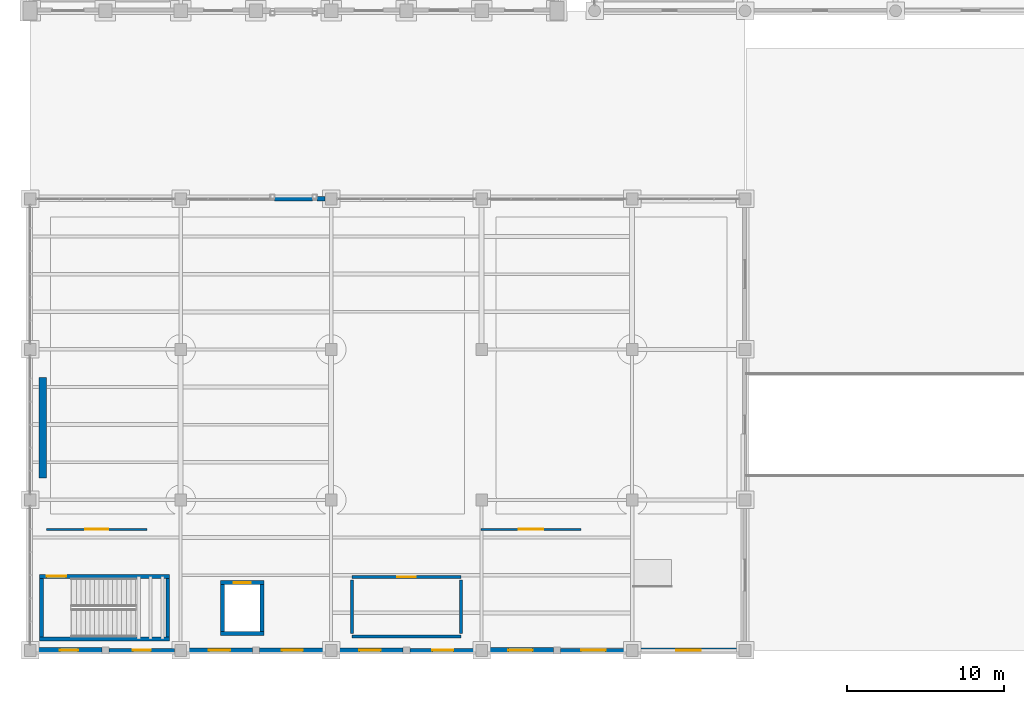
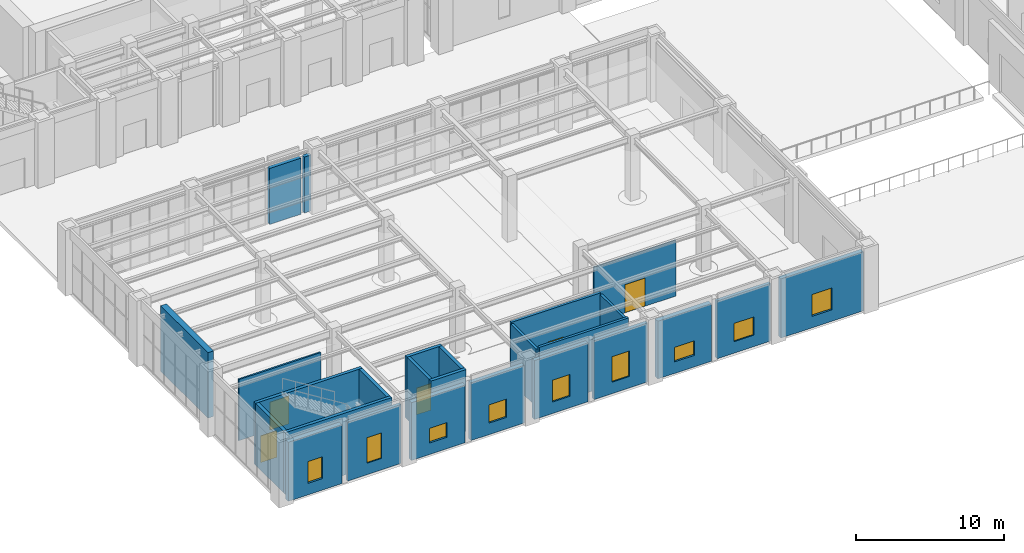
# One storey, part 128 of 164: 26 walls, 9 windows, 5 doors, 14 openings.
"""IFC4 building model written with IfcOpenShell, lengths in metres."""

import ifcopenshell
import ifcopenshell.guid

model = None  # the IFC model being written
_history = None  # IfcOwnerHistory: only IFC2X3 demands one
_inside = {}  # id of a spatial element -> (the spatial element, [elements in it])
_under = {}  # id of a project, library or spatial element -> (it, [spatial elements below it])
_declared = {}  # id of a project -> (the project, [libraries it declares])
_typed = {}  # id of a type object -> (the type object, [elements of that type])
_made_of = {}  # id of a material, layer set ... -> (it, [elements and type objects made of it])


def new_model(schema):
    """Start an empty IFC model of exactly this schema.

    Asked for "IFC4X3", IfcOpenShell would pick the latest addendum, in which some entities
    have other attributes; the version numbers below select the first issue.
    IFC2X3 requires an IfcOwnerHistory on every rooted entity: one is made here for all.
    """
    global model, _history
    if schema == "IFC4X3":
        model = ifcopenshell.file(schema_version=(4, 3, 0, 0))
    else:
        model = ifcopenshell.file(schema=schema)
    _inside.clear()
    _under.clear()
    _declared.clear()
    _typed.clear()
    _made_of.clear()
    _history = None
    if model.schema == "IFC2X3":
        org = make("IfcOrganization", Name="unknown")
        user = make(
            "IfcPersonAndOrganization",
            ThePerson=make("IfcPerson", FamilyName="unknown"),
            TheOrganization=org,
        )
        app = make(
            "IfcApplication",
            ApplicationDeveloper=org,
            Version="unknown",
            ApplicationFullName="unknown",
            ApplicationIdentifier="unknown",
        )
        _history = make(
            "IfcOwnerHistory",
            OwningUser=user,
            OwningApplication=app,
            ChangeAction="ADDED",
            CreationDate=0,
        )
    return model


def make(cls, **values):
    """One entity of the class cls with the attributes given. An attribute that is None is left unset."""
    return model.create_entity(
        cls, **{name: value for name, value in values.items() if value is not None}
    )


def rooted(cls, **values):
    """An entity with a GlobalId (a new one), such as an element, a storey or a relation."""
    return make(cls, GlobalId=ifcopenshell.guid.new(), OwnerHistory=_history, **values)


def si_unit(unit_type, name, prefix=None):
    """IfcSIUnit, for example si_unit("LENGTHUNIT", "METRE", prefix="MILLI")."""
    return make("IfcSIUnit", UnitType=unit_type, Prefix=prefix, Name=name)


def assignment(units):
    """IfcUnitAssignment: the units of a project."""
    return None if units is None else make("IfcUnitAssignment", Units=units)


def point(xyz):
    """IfcCartesianPoint."""
    return None if xyz is None else make("IfcCartesianPoint", Coordinates=xyz)


def direction(xyz):
    """IfcDirection."""
    return None if xyz is None else make("IfcDirection", DirectionRatios=xyz)


def frame(location, z_axis=None, x_axis=None):
    """IfcAxis2Placement3D, a coordinate frame: its origin and axes. An axis left out is left unset."""
    return make(
        "IfcAxis2Placement3D",
        Location=point(location),
        Axis=direction(z_axis),
        RefDirection=direction(x_axis),
    )


def frame_2d(location, x_axis=None):
    """IfcAxis2Placement2D, a coordinate frame in the plane: its origin and x axis."""
    return make(
        "IfcAxis2Placement2D", Location=point(location), RefDirection=direction(x_axis)
    )


def origin():
    """The frame at (0, 0, 0) with its axes left unset."""
    return frame((0.0, 0.0, 0.0))


def place(relative_to, where):
    """IfcLocalPlacement: puts the frame where relative to a parent placement (None: the world)."""
    return make(
        "IfcLocalPlacement", PlacementRelTo=relative_to, RelativePlacement=where
    )


def context(
    kind, dimensions, precision=None, world=None, true_north=None, identifier=None
):
    """IfcGeometricRepresentationContext, for example the 3D "Model" context."""
    return make(
        "IfcGeometricRepresentationContext",
        ContextIdentifier=identifier,
        ContextType=kind,
        CoordinateSpaceDimension=dimensions,
        Precision=precision,
        WorldCoordinateSystem=world,
        TrueNorth=true_north,
    )


def subcontext(parent, identifier, kind, view, scale=None):
    """IfcGeometricRepresentationSubContext, for example "Body" below "Model"."""
    return make(
        "IfcGeometricRepresentationSubContext",
        ContextIdentifier=identifier,
        ContextType=kind,
        ParentContext=parent,
        TargetScale=scale,
        TargetView=view,
    )


def project(units=None, contexts=None):
    """IfcProject with its units and contexts."""
    return rooted(
        "IfcProject",
        Name="project",
        RepresentationContexts=contexts,
        UnitsInContext=assignment(units),
    )


def spatial(cls, under=None, at=None, **own):
    """A site, building, storey or space (cls), placed at a placement, below another one or the project."""
    s = rooted(cls, ObjectPlacement=at, **own)
    if under is not None:
        _under.setdefault(under.id(), (under, []))[1].append(s)
    return s


def profile(cls, at=None, kind="AREA", **sizes):
    """A parametric profile (cls). Its sizes go by their IFC names, for example OverallWidth=200.0."""
    return make(cls, ProfileType=kind, Position=at, **sizes)


def rectangle(**sizes):
    """IfcRectangleProfileDef."""
    return profile("IfcRectangleProfileDef", **sizes)


def extrude(swept, where, along, depth):
    """IfcExtrudedAreaSolid: the profile swept, set in the frame where, extruded along a direction by depth."""
    return make(
        "IfcExtrudedAreaSolid",
        SweptArea=swept,
        Position=where,
        ExtrudedDirection=direction(along),
        Depth=depth,
    )


def shape(context_of_items, identifier, shape_type, items):
    """IfcShapeRepresentation: the items that make up one representation, for example the "Body"."""
    return make(
        "IfcShapeRepresentation",
        ContextOfItems=context_of_items,
        RepresentationIdentifier=identifier,
        RepresentationType=shape_type,
        Items=items,
    )


def material(Name=None, Category=None):
    """IfcMaterial."""
    return make("IfcMaterial", Name=Name, Category=Category)


def layer(
    of_material, thickness, ventilated=None, Name=None, Category=None, Priority=None
):
    """IfcMaterialLayer: one layer of a wall or slab, of a material (None: an air gap)."""
    return make(
        "IfcMaterialLayer",
        Material=of_material,
        LayerThickness=thickness,
        IsVentilated=ventilated,
        Name=Name,
        Category=Category,
        Priority=Priority,
    )


def layer_set(layers, Name=None):
    """IfcMaterialLayerSet."""
    return make("IfcMaterialLayerSet", MaterialLayers=layers, LayerSetName=Name)


def made_of(thing, what):
    """Note that an element or type object is made of a material, layer set ...; save() writes the relation."""
    if what is not None:
        _made_of.setdefault(what.id(), (what, []))[1].append(thing)
    return thing


def type_object(cls, material=None, **own):
    """A type object (cls), such as IfcWallType, which elements share."""
    return made_of(rooted(cls, **own), material)


def element(
    cls,
    number,
    at=None,
    inside=None,
    cuts=None,
    type_object=None,
    material=None,
    context=None,
    identifier="Body",
    shape_type=None,
    held_by="IfcProductDefinitionShape",
    body=None,
    shapes=None,
    **own,
):
    """One element of the class cls, such as IfcWall. Its Tag is "e" and its number.

    at: its placement. inside: the storey or other place that contains it. cuts: it is an
    opening in that element (IfcRelVoidsElement). A single representation is given by context,
    identifier, shape_type and body (its items); several are given by shapes. held_by: the class
    of the entity that holds the representations. save() writes the other relations.
    """
    e = rooted(cls, Tag="e%d" % number, ObjectPlacement=at, **own)
    if body is not None:
        shapes = [shape(context, identifier, shape_type, body)]
    if shapes is not None:
        e.Representation = make(held_by, Representations=shapes)
    if inside is not None:
        _inside.setdefault(inside.id(), (inside, []))[1].append(e)
    if cuts is not None:
        rooted(
            "IfcRelVoidsElement", RelatingBuildingElement=cuts, RelatedOpeningElement=e
        )
    if type_object is not None:
        _typed.setdefault(type_object.id(), (type_object, []))[1].append(e)
    return made_of(e, material)


def fill(opening, filler):
    """IfcRelFillsElement: the door or window that sits in an opening."""
    return rooted(
        "IfcRelFillsElement",
        RelatingOpeningElement=opening,
        RelatedBuildingElement=filler,
    )


def aggregate(whole, parts):
    """IfcRelAggregates: a whole, such as a stair, and the parts it consists of."""
    return rooted("IfcRelAggregates", RelatingObject=whole, RelatedObjects=parts)


def save(model, path):
    """Write the relations noted so far, then the file.

    IfcRelAggregates (storeys below a building ...), IfcRelContainedInSpatialStructure (elements
    in a storey), IfcRelDefinesByType, IfcRelAssociatesMaterial and IfcRelDeclares: one each for
    every whole, place, type object, material and project.
    """
    for whole, parts in _under.values():
        aggregate(whole, parts)
    for where, things in _inside.values():
        rooted(
            "IfcRelContainedInSpatialStructure",
            RelatedElements=things,
            RelatingStructure=where,
        )
    for kind, things in _typed.values():
        rooted("IfcRelDefinesByType", RelatedObjects=things, RelatingType=kind)
    for what, things in _made_of.values():
        rooted("IfcRelAssociatesMaterial", RelatedObjects=things, RelatingMaterial=what)
    for by, libraries in _declared.values():
        rooted("IfcRelDeclares", RelatingContext=by, RelatedDefinitions=libraries)
    model.write(path)


model = new_model("IFC4")

# Units and contexts
model_context = context("Model", 3, precision=1e-05, world=origin(), true_north=direction((0.0, 1.0)))
body_context = subcontext(model_context, "Body", "Model", "MODEL_VIEW")
ifc_project = project(units=[si_unit("LENGTHUNIT", "METRE"), si_unit("AREAUNIT", "SQUARE_METRE"), si_unit("VOLUMEUNIT", "CUBIC_METRE"), si_unit("PLANEANGLEUNIT", "RADIAN"), si_unit("MASSUNIT", "GRAM", prefix="KILO")], contexts=[model_context])

# Site, building, storey
site_placement = place(None, origin())
site = spatial("IfcSite", under=ifc_project, at=site_placement, CompositionType="ELEMENT")
building_placement = place(site_placement, origin())
building = spatial("IfcBuilding", under=site, at=building_placement, Name="Mavantir Sound Aquarium", CompositionType="ELEMENT")
storey_placement = place(building_placement, origin())
storey = spatial("IfcBuildingStorey", under=building, at=storey_placement, Name="L00", CompositionType="ELEMENT", Elevation=0.0)

# Wall, opening, window
ifc_material_1 = material(Name="Coral-Buff Architectural Precast Concrete C40/50", Category="concrete")
ifc_layer_1 = layer(ifc_material_1, 0.31005859375, Name="Coral-Buff Architectural Precast Concrete C40/50")
ifc_layer_set_1 = layer_set([ifc_layer_1], Name="Coral-Buff Architectural Precast Concrete C40/50")
wall_type_1 = type_object("IfcWallType", Name="EW-CORAL-310", PredefinedType="SOLIDWALL", material=ifc_layer_set_1)
wall_1_placement = place(storey_placement, frame((14.633056640625, 0.0, 0.0), z_axis=(0.0, 0.0, 1.0), x_axis=(1.0, 0.0, 0.0)))
wall_1 = element("IfcWall", 1, at=wall_1_placement, inside=storey, type_object=wall_type_1, Name="L00 exterior facade wall EW-02 80", PredefinedType="SOLIDWALL", context=body_context, shape_type="SweptSolid", body=[
    extrude(rectangle(XDim=4.183837890625, YDim=0.31005859375, at=frame_2d((2.091796875, 0.0))), origin(), (0.0, 0.0, 1.0), 4.758056640625),
])
opening_1_placement = place(wall_1_placement, frame((1.4169921875, 0.0, 0.949951171875)))
opening_1 = element("IfcOpeningElement", 2, at=opening_1_placement, cuts=wall_1, Name="Opening W-10", PredefinedType="OPENING", context=body_context, shape_type="SweptSolid", body=[
    extrude(rectangle(XDim=1.35009765625, YDim=1.5, at=frame_2d((0.675048828125, 0.75))), frame((0.0, 0.1650390625, 0.0), z_axis=(0.0, -1.0, 0.0), x_axis=(1.0, 0.0, 0.0)), (0.0, 0.0, 1.0), 0.330078125),
])
ifc_material_2 = material(Name="Thermally Broken Aluminium and Low-E Glass", Category="aluminium")
window_type_1 = type_object("IfcWindowType", Name="WIN-EXT-10", PartitioningType="SINGLE_PANEL", PredefinedType="WINDOW", material=ifc_material_2)
window_1_placement = place(opening_1_placement, origin())
window_1 = element("IfcWindow", 3, at=window_1_placement, inside=storey, type_object=window_type_1, Name="L00 facade window W-10 10", OverallHeight=1.5, OverallWidth=1.35009765625, PartitioningType="SINGLE_PANEL", PredefinedType="WINDOW", context=body_context, shape_type="SweptSolid", body=[
    extrude(rectangle(XDim=1.35009765625, YDim=1.5, at=frame_2d((0.675048828125, 0.75))), frame((0.0, 0.030029296875, 0.0), z_axis=(0.0, -1.0, 0.0), x_axis=(1.0, 0.0, 0.0)), (0.0, 0.0, 1.0), 0.06005859375),
])
fill(opening_1, window_1)

ifc_layer_2 = layer(ifc_material_1, 0.340087890625, Name="Coral-Buff Architectural Precast Concrete C40/50")
ifc_layer_set_2 = layer_set([ifc_layer_2], Name="Coral-Buff Architectural Precast Concrete C40/50")
wall_type_2 = type_object("IfcWallType", Name="EW-CORAL-340", PredefinedType="SOLIDWALL", material=ifc_layer_set_2)
wall_2_placement = place(storey_placement, frame((9.98291015625, 0.0, 0.0), z_axis=(0.0, 0.0, 1.0), x_axis=(1.0, 0.0, 0.0)))
wall_2 = element("IfcWall", 4, at=wall_2_placement, inside=storey, type_object=wall_type_2, Name="L00 exterior facade wall EW-01 79", PredefinedType="SOLIDWALL", context=body_context, shape_type="SweptSolid", body=[
    extrude(rectangle(XDim=4.18408203125, YDim=0.340087890625, at=frame_2d((2.092041015625, 0.0))), origin(), (0.0, 0.0, 1.0), 4.758056640625),
])
opening_2_placement = place(wall_2_placement, frame((1.4169921875, 0.0, 0.949951171875)))
opening_2 = element("IfcOpeningElement", 5, at=opening_2_placement, cuts=wall_2, Name="Opening W-09", PredefinedType="OPENING", context=body_context, shape_type="SweptSolid", body=[
    extrude(rectangle(XDim=1.35009765625, YDim=1.199951171875, at=frame_2d((0.675048828125, 0.60009765625))), frame((0.0, 0.18017578125, 0.0), z_axis=(0.0, -1.0, 0.0), x_axis=(1.0, 0.0, 0.0)), (0.0, 0.0, 1.0), 0.360107421875),
])
window_type_2 = type_object("IfcWindowType", Name="WIN-EXT-09", PartitioningType="SINGLE_PANEL", PredefinedType="WINDOW", material=ifc_material_2)
window_2_placement = place(opening_2_placement, origin())
window_2 = element("IfcWindow", 6, at=window_2_placement, inside=storey, type_object=window_type_2, Name="L00 facade window W-09 9", OverallHeight=1.199951171875, OverallWidth=1.35009765625, PartitioningType="SINGLE_PANEL", PredefinedType="WINDOW", context=body_context, shape_type="SweptSolid", body=[
    extrude(rectangle(XDim=1.35009765625, YDim=1.199951171875, at=frame_2d((0.675048828125, 0.60009765625))), frame((0.0, 0.030029296875, 0.0), z_axis=(0.0, -1.0, 0.0), x_axis=(1.0, 0.0, 0.0)), (0.0, 0.0, 1.0), 0.06005859375),
])
fill(opening_2, window_2)

wall_3_placement = place(storey_placement, frame((38.782958984375, 0.0, 0.0), z_axis=(0.0, 0.0, 1.0), x_axis=(1.0, 0.0, 0.0)))
wall_3 = element("IfcWall", 7, at=wall_3_placement, inside=storey, type_object=wall_type_2, Name="L00 exterior facade wall EW-01 85", PredefinedType="SOLIDWALL", context=body_context, shape_type="SweptSolid", body=[
    extrude(rectangle(XDim=6.43408203125, YDim=0.340087890625, at=frame_2d((3.217041015625, 0.0))), origin(), (0.0, 0.0, 1.0), 4.883056640625),
])
opening_3_placement = place(wall_3_placement, frame((2.44189453125, 0.0, 0.949951171875)))
opening_3 = element("IfcOpeningElement", 8, at=opening_3_placement, cuts=wall_3, Name="Opening W-15", PredefinedType="OPENING", context=body_context, shape_type="SweptSolid", body=[
    extrude(rectangle(XDim=1.550048828125, YDim=1.800048828125, at=frame_2d((0.77490234375, 0.89990234375))), frame((0.0, 0.18017578125, 0.0), z_axis=(0.0, -1.0, 0.0), x_axis=(1.0, 0.0, 0.0)), (0.0, 0.0, 1.0), 0.360107421875),
])
window_type_3 = type_object("IfcWindowType", Name="WIN-EXT-15", PartitioningType="SINGLE_PANEL", PredefinedType="WINDOW", material=ifc_material_2)
window_3_placement = place(opening_3_placement, origin())
window_3 = element("IfcWindow", 9, at=window_3_placement, inside=storey, type_object=window_type_3, Name="L00 facade window W-15 15", OverallHeight=1.800048828125, OverallWidth=1.550048828125, PartitioningType="SINGLE_PANEL", PredefinedType="WINDOW", context=body_context, shape_type="SweptSolid", body=[
    extrude(rectangle(XDim=1.550048828125, YDim=1.800048828125, at=frame_2d((0.77490234375, 0.89990234375))), frame((0.0, 0.030029296875, 0.0), z_axis=(0.0, -1.0, 0.0), x_axis=(1.0, 0.0, 0.0)), (0.0, 0.0, 1.0), 0.06005859375),
])
fill(opening_3, window_3)

ifc_material_3 = material(Name="Architectural Precast Concrete C40/50", Category="concrete")
ifc_layer_3 = layer(ifc_material_3, 0.239990234375, Name="Architectural Precast Concrete C40/50")
ifc_layer_set_3 = layer_set([ifc_layer_3], Name="Architectural Precast Concrete C40/50")
wall_type_3 = type_object("IfcWallType", Name="EW-PRE-240", PredefinedType="SOLIDWALL", material=ifc_layer_set_3)
wall_4_placement = place(storey_placement, frame((5.032958984375, 0.0, 0.0), z_axis=(0.0, 0.0, 1.0), x_axis=(1.0, 0.0, 0.0)))
wall_4 = element("IfcWall", 10, at=wall_4_placement, inside=storey, type_object=wall_type_3, Name="L00 exterior facade wall EW-06 78", PredefinedType="SOLIDWALL", context=body_context, shape_type="SweptSolid", body=[
    extrude(rectangle(XDim=4.18408203125, YDim=0.239990234375, at=frame_2d((2.092041015625, 0.0))), origin(), (0.0, 0.0, 1.0), 4.863037109375),
])
opening_4_placement = place(wall_4_placement, frame((1.51708984375, 0.0, 0.949951171875)))
opening_4 = element("IfcOpeningElement", 11, at=opening_4_placement, cuts=wall_4, Name="Opening W-08", PredefinedType="OPENING", context=body_context, shape_type="SweptSolid", body=[
    extrude(rectangle(XDim=1.14990234375, YDim=2.10009765625, at=frame_2d((0.574951171875, 1.050048828125))), frame((0.0, 0.1298828125, 0.0), z_axis=(0.0, -1.0, 0.0), x_axis=(1.0, 0.0, 0.0)), (0.0, 0.0, 1.0), 0.260009765625),
])
window_type_4 = type_object("IfcWindowType", Name="WIN-EXT-08", PartitioningType="SINGLE_PANEL", PredefinedType="WINDOW", material=ifc_material_2)
window_4_placement = place(opening_4_placement, origin())
window_4 = element("IfcWindow", 12, at=window_4_placement, inside=storey, type_object=window_type_4, Name="L00 facade window W-08 8", OverallHeight=2.10009765625, OverallWidth=1.14990234375, PartitioningType="SINGLE_PANEL", PredefinedType="WINDOW", context=body_context, shape_type="SweptSolid", body=[
    extrude(rectangle(XDim=1.14990234375, YDim=2.10009765625, at=frame_2d((0.574951171875, 1.050048828125))), frame((0.0, 0.030029296875, 0.0), z_axis=(0.0, -1.0, 0.0), x_axis=(1.0, 0.0, 0.0)), (0.0, 0.0, 1.0), 0.06005859375),
])
fill(opening_4, window_4)

wall_5_placement = place(storey_placement, frame((33.8330078125, 0.0, 0.0), z_axis=(0.0, 0.0, 1.0), x_axis=(1.0, 0.0, 0.0)))
wall_5 = element("IfcWall", 13, at=wall_5_placement, inside=storey, type_object=wall_type_3, Name="L00 exterior facade wall EW-06 84", PredefinedType="SOLIDWALL", context=body_context, shape_type="SweptSolid", body=[
    extrude(rectangle(XDim=4.18408203125, YDim=0.239990234375, at=frame_2d((2.092041015625, 0.0))), origin(), (0.0, 0.0, 1.0), 4.758056640625),
])
opening_5_placement = place(wall_5_placement, frame((1.31689453125, 0.0, 0.949951171875)))
opening_5 = element("IfcOpeningElement", 14, at=opening_5_placement, cuts=wall_5, Name="Opening W-14", PredefinedType="OPENING", context=body_context, shape_type="SweptSolid", body=[
    extrude(rectangle(XDim=1.550048828125, YDim=1.5, at=frame_2d((0.77490234375, 0.75))), frame((0.0, 0.1298828125, 0.0), z_axis=(0.0, -1.0, 0.0), x_axis=(1.0, 0.0, 0.0)), (0.0, 0.0, 1.0), 0.260009765625),
])
window_type_5 = type_object("IfcWindowType", Name="WIN-EXT-14", PartitioningType="SINGLE_PANEL", PredefinedType="WINDOW", material=ifc_material_2)
window_5_placement = place(opening_5_placement, origin())
window_5 = element("IfcWindow", 15, at=window_5_placement, inside=storey, type_object=window_type_5, Name="L00 facade window W-14 14", OverallHeight=1.5, OverallWidth=1.550048828125, PartitioningType="SINGLE_PANEL", PredefinedType="WINDOW", context=body_context, shape_type="SweptSolid", body=[
    extrude(rectangle(XDim=1.550048828125, YDim=1.5, at=frame_2d((0.77490234375, 0.75))), frame((0.0, 0.030029296875, 0.0), z_axis=(0.0, -1.0, 0.0), x_axis=(1.0, 0.0, 0.0)), (0.0, 0.0, 1.0), 0.06005859375),
])
fill(opening_5, window_5)

ifc_layer_4 = layer(ifc_material_1, 0.360107421875, Name="Coral-Buff Architectural Precast Concrete C40/50")
ifc_layer_set_4 = layer_set([ifc_layer_4], Name="Coral-Buff Architectural Precast Concrete C40/50")
wall_type_4 = type_object("IfcWallType", Name="EW-PRE-360", PredefinedType="SOLIDWALL", material=ifc_layer_set_4)
wall_6_placement = place(storey_placement, frame((0.383056640625, 0.0, 0.0), z_axis=(0.0, 0.0, 1.0), x_axis=(1.0, 0.0, 0.0)))
wall_6 = element("IfcWall", 16, at=wall_6_placement, inside=storey, type_object=wall_type_4, Name="L00 exterior facade wall EW-05 77", PredefinedType="SOLIDWALL", context=body_context, shape_type="SweptSolid", body=[
    extrude(rectangle(XDim=4.183837890625, YDim=0.360107421875, at=frame_2d((2.091796875, 0.0))), origin(), (0.0, 0.0, 1.0), 4.863037109375),
])
opening_6_placement = place(wall_6_placement, frame((1.51708984375, 0.0, 0.949951171875)))
opening_6 = element("IfcOpeningElement", 17, at=opening_6_placement, cuts=wall_6, Name="Opening W-07", PredefinedType="OPENING", context=body_context, shape_type="SweptSolid", body=[
    extrude(rectangle(XDim=1.14990234375, YDim=1.800048828125, at=frame_2d((0.574951171875, 0.89990234375))), frame((0.0, 0.18994140625, 0.0), z_axis=(0.0, -1.0, 0.0), x_axis=(1.0, 0.0, 0.0)), (0.0, 0.0, 1.0), 0.380126953125),
])
window_type_6 = type_object("IfcWindowType", Name="WIN-EXT-07", PartitioningType="SINGLE_PANEL", PredefinedType="WINDOW", material=ifc_material_2)
window_6_placement = place(opening_6_placement, origin())
window_6 = element("IfcWindow", 18, at=window_6_placement, inside=storey, type_object=window_type_6, Name="L00 facade window W-07 7", OverallHeight=1.800048828125, OverallWidth=1.14990234375, PartitioningType="SINGLE_PANEL", PredefinedType="WINDOW", context=body_context, shape_type="SweptSolid", body=[
    extrude(rectangle(XDim=1.14990234375, YDim=1.800048828125, at=frame_2d((0.574951171875, 0.89990234375))), frame((0.0, 0.030029296875, 0.0), z_axis=(0.0, -1.0, 0.0), x_axis=(1.0, 0.0, 0.0)), (0.0, 0.0, 1.0), 0.06005859375),
])
fill(opening_6, window_6)

wall_7_placement = place(storey_placement, frame((29.18310546875, 0.0, 0.0), z_axis=(0.0, 0.0, 1.0), x_axis=(1.0, 0.0, 0.0)))
wall_7 = element("IfcWall", 19, at=wall_7_placement, inside=storey, type_object=wall_type_4, Name="L00 exterior facade wall EW-05 83", PredefinedType="SOLIDWALL", context=body_context, shape_type="SweptSolid", body=[
    extrude(rectangle(XDim=4.183837890625, YDim=0.360107421875, at=frame_2d((2.091796875, 0.0))), origin(), (0.0, 0.0, 1.0), 4.758056640625),
])
opening_7_placement = place(wall_7_placement, frame((1.31689453125, 0.0, 0.949951171875)))
opening_7 = element("IfcOpeningElement", 20, at=opening_7_placement, cuts=wall_7, Name="Opening W-13", PredefinedType="OPENING", context=body_context, shape_type="SweptSolid", body=[
    extrude(rectangle(XDim=1.550048828125, YDim=1.199951171875, at=frame_2d((0.77490234375, 0.60009765625))), frame((0.0, 0.18994140625, 0.0), z_axis=(0.0, -1.0, 0.0), x_axis=(1.0, 0.0, 0.0)), (0.0, 0.0, 1.0), 0.380126953125),
])
window_type_7 = type_object("IfcWindowType", Name="WIN-EXT-13", PartitioningType="SINGLE_PANEL", PredefinedType="WINDOW", material=ifc_material_2)
window_7_placement = place(opening_7_placement, origin())
window_7 = element("IfcWindow", 21, at=window_7_placement, inside=storey, type_object=window_type_7, Name="L00 facade window W-13 13", OverallHeight=1.199951171875, OverallWidth=1.550048828125, PartitioningType="SINGLE_PANEL", PredefinedType="WINDOW", context=body_context, shape_type="SweptSolid", body=[
    extrude(rectangle(XDim=1.550048828125, YDim=1.199951171875, at=frame_2d((0.77490234375, 0.60009765625))), frame((0.0, 0.030029296875, 0.0), z_axis=(0.0, -1.0, 0.0), x_axis=(1.0, 0.0, 0.0)), (0.0, 0.0, 1.0), 0.06005859375),
])
fill(opening_7, window_7)

# Wall
ifc_material_4 = material(Name="Cerulean Glazed Terracotta Rainscreen on Concrete C40/50", Category="masonry")
ifc_layer_5 = layer(ifc_material_4, 0.27001953125, Name="Cerulean Glazed Terracotta Rainscreen on Concrete C40/50")
ifc_layer_set_5 = layer_set([ifc_layer_5], Name="Cerulean Glazed Terracotta Rainscreen on Concrete C40/50")
wall_type_5 = type_object("IfcWallType", Name="EW-TERRA-270", PredefinedType="SOLIDWALL", material=ifc_layer_set_5)
wall_8_placement = place(storey_placement, frame((18.01708984375, 28.800048828125, 0.0), z_axis=(0.0, 0.0, 1.0), x_axis=(-1.0, 0.0, 0.0)))
element("IfcWall", 22, at=wall_8_placement, inside=storey, type_object=wall_type_5, Name="L00 exterior facade wall EW-04 76", PredefinedType="SOLIDWALL", context=body_context, shape_type="SweptSolid", body=[
    extrude(rectangle(XDim=2.43408203125, YDim=0.27001953125, at=frame_2d((1.217041015625, 0.0))), origin(), (0.0, 0.0, 1.0), 4.62109375),
])

# Wall, opening, window
wall_9_placement = place(storey_placement, frame((24.23291015625, 0.0, 0.0), z_axis=(0.0, 0.0, 1.0), x_axis=(1.0, 0.0, 0.0)))
wall_9 = element("IfcWall", 23, at=wall_9_placement, inside=storey, type_object=wall_type_5, Name="L00 exterior facade wall EW-04 82", PredefinedType="SOLIDWALL", context=body_context, shape_type="SweptSolid", body=[
    extrude(rectangle(XDim=4.18408203125, YDim=0.27001953125, at=frame_2d((2.092041015625, 0.0))), origin(), (0.0, 0.0, 1.0), 4.863037109375),
])
opening_8_placement = place(wall_9_placement, frame((1.4169921875, 0.0, 0.949951171875)))
opening_8 = element("IfcOpeningElement", 24, at=opening_8_placement, cuts=wall_9, Name="Opening W-12", PredefinedType="OPENING", context=body_context, shape_type="SweptSolid", body=[
    extrude(rectangle(XDim=1.35009765625, YDim=2.10009765625, at=frame_2d((0.675048828125, 1.050048828125))), frame((0.0, 0.14501953125, 0.0), z_axis=(0.0, -1.0, 0.0), x_axis=(1.0, 0.0, 0.0)), (0.0, 0.0, 1.0), 0.2900390625),
])
window_type_8 = type_object("IfcWindowType", Name="WIN-EXT-12", PartitioningType="SINGLE_PANEL", PredefinedType="WINDOW", material=ifc_material_2)
window_8_placement = place(opening_8_placement, origin())
window_8 = element("IfcWindow", 25, at=window_8_placement, inside=storey, type_object=window_type_8, Name="L00 facade window W-12 12", OverallHeight=2.10009765625, OverallWidth=1.35009765625, PartitioningType="SINGLE_PANEL", PredefinedType="WINDOW", context=body_context, shape_type="SweptSolid", body=[
    extrude(rectangle(XDim=1.35009765625, YDim=2.10009765625, at=frame_2d((0.675048828125, 1.050048828125))), frame((0.0, 0.030029296875, 0.0), z_axis=(0.0, -1.0, 0.0), x_axis=(1.0, 0.0, 0.0)), (0.0, 0.0, 1.0), 0.06005859375),
])
fill(opening_8, window_8)

# Wall
ifc_material_5 = material(Name="Turquoise Glazed Terracotta Rainscreen on Concrete C40/50", Category="masonry")
ifc_layer_6 = layer(ifc_material_5, 0.2900390625, Name="Turquoise Glazed Terracotta Rainscreen on Concrete C40/50")
ifc_layer_set_6 = layer_set([ifc_layer_6], Name="Turquoise Glazed Terracotta Rainscreen on Concrete C40/50")
wall_type_6 = type_object("IfcWallType", Name="EW-TERRA-290", PredefinedType="SOLIDWALL", material=ifc_layer_set_6)
wall_10_placement = place(storey_placement, frame((18.81689453125, 28.800048828125, 0.0), z_axis=(0.0, 0.0, 1.0), x_axis=(-1.0, 0.0, 0.0)))
element("IfcWall", 26, at=wall_10_placement, inside=storey, type_object=wall_type_6, Name="L00 exterior facade wall EW-03 75", PredefinedType="SOLIDWALL", context=body_context, shape_type="SweptSolid", body=[
    extrude(rectangle(XDim=0.533935546875, YDim=0.2900390625, at=frame_2d((0.26708984375, 0.0))), origin(), (0.0, 0.0, 1.0), 4.62109375),
])

# Wall, opening, window
wall_11_placement = place(storey_placement, frame((19.5830078125, 0.0, 0.0), z_axis=(0.0, 0.0, 1.0), x_axis=(1.0, 0.0, 0.0)))
wall_11 = element("IfcWall", 27, at=wall_11_placement, inside=storey, type_object=wall_type_6, Name="L00 exterior facade wall EW-03 81", PredefinedType="SOLIDWALL", context=body_context, shape_type="SweptSolid", body=[
    extrude(rectangle(XDim=4.18408203125, YDim=0.2900390625, at=frame_2d((2.092041015625, 0.0))), origin(), (0.0, 0.0, 1.0), 4.863037109375),
])
opening_9_placement = place(wall_11_placement, frame((1.4169921875, 0.0, 0.949951171875)))
opening_9 = element("IfcOpeningElement", 28, at=opening_9_placement, cuts=wall_11, Name="Opening W-11", PredefinedType="OPENING", context=body_context, shape_type="SweptSolid", body=[
    extrude(rectangle(XDim=1.35009765625, YDim=1.800048828125, at=frame_2d((0.675048828125, 0.89990234375))), frame((0.0, 0.155029296875, 0.0), z_axis=(0.0, -1.0, 0.0), x_axis=(1.0, 0.0, 0.0)), (0.0, 0.0, 1.0), 0.31005859375),
])
window_type_9 = type_object("IfcWindowType", Name="WIN-EXT-11", PartitioningType="SINGLE_PANEL", PredefinedType="WINDOW", material=ifc_material_2)
window_9_placement = place(opening_9_placement, origin())
window_9 = element("IfcWindow", 29, at=window_9_placement, inside=storey, type_object=window_type_9, Name="L00 facade window W-11 11", OverallHeight=1.800048828125, OverallWidth=1.35009765625, PartitioningType="SINGLE_PANEL", PredefinedType="WINDOW", context=body_context, shape_type="SweptSolid", body=[
    extrude(rectangle(XDim=1.35009765625, YDim=1.800048828125, at=frame_2d((0.675048828125, 0.89990234375))), frame((0.0, 0.030029296875, 0.0), z_axis=(0.0, -1.0, 0.0), x_axis=(1.0, 0.0, 0.0)), (0.0, 0.0, 1.0), 0.06005859375),
])
fill(opening_9, window_9)

# Wall, opening, door
ifc_material_6 = material(Name="Concrete C40/50", Category="concrete")
ifc_layer_7 = layer(ifc_material_6, 0.199951171875, Name="Concrete C40/50")
ifc_layer_set_7 = layer_set([ifc_layer_7], Name="Concrete C40/50")
wall_type_7 = type_object("IfcWallType", Name="IW-FFL-200", PredefinedType="PARTITIONING", material=ifc_layer_set_7)
wall_12_placement = place(storey_placement, frame((20.52001953125, 4.679931640625, 0.0), z_axis=(0.0, 0.0, 1.0), x_axis=(1.0, 0.0, 0.0)))
wall_12 = element("IfcWall", 30, at=wall_12_placement, inside=storey, type_object=wall_type_7, Name="L00 Fire Command Centre partition N", PredefinedType="PARTITIONING", context=body_context, shape_type="SweptSolid", body=[
    extrude(rectangle(XDim=6.9599609375, YDim=0.199951171875, at=frame_2d((3.47998046875, 0.0))), origin(), (0.0, 0.0, 1.0), 4.81396484375),
])
opening_10_placement = place(wall_12_placement, frame((2.8798828125, 0.0, 0.0)))
opening_10 = element("IfcOpeningElement", 31, at=opening_10_placement, cuts=wall_12, Name="Opening FD-01", PredefinedType="OPENING", context=body_context, shape_type="SweptSolid", body=[
    extrude(rectangle(XDim=1.199951171875, YDim=2.199951171875, at=frame_2d((0.60009765625, 1.10009765625))), frame((0.0, 0.10986328125, 0.0), z_axis=(0.0, -1.0, 0.0), x_axis=(1.0, 0.0, 0.0)), (0.0, 0.0, 1.0), 0.219970703125),
])
ifc_material_7 = material(Name="Fire-Rated Steel Lobby Door Leaf", Category="steel")
door_type_1 = type_object("IfcDoorType", Name="DR-FFL-120", OperationType="NOTDEFINED", PredefinedType="DOOR", material=ifc_material_7)
door_1_placement = place(opening_10_placement, origin())
door_1 = element("IfcDoor", 32, at=door_1_placement, inside=storey, type_object=door_type_1, Name="Fire Command Centre entrance door", OperationType="SINGLE_SWING_LEFT", OverallHeight=2.199951171875, OverallWidth=1.199951171875, PredefinedType="DOOR", context=body_context, shape_type="SweptSolid", body=[
    extrude(rectangle(XDim=1.199951171875, YDim=2.199951171875, at=frame_2d((0.60009765625, 1.10009765625))), frame((0.0, 0.02490234375, 0.0), z_axis=(0.0, -1.0, 0.0), x_axis=(1.0, 0.0, 0.0)), (0.0, 0.0, 1.0), 0.050048828125),
])
fill(opening_10, door_1)

# Walls
wall_13_placement = place(storey_placement, frame((20.52001953125, 0.89990234375, 0.0), z_axis=(0.0, 0.0, 1.0), x_axis=(1.0, 0.0, 0.0)))
element("IfcWall", 33, at=wall_13_placement, inside=storey, type_object=wall_type_7, Name="L00 Fire Command Centre partition S", PredefinedType="PARTITIONING", context=body_context, shape_type="SweptSolid", body=[
    extrude(rectangle(XDim=6.9599609375, YDim=0.199951171875, at=frame_2d((3.47998046875, 0.0))), origin(), (0.0, 0.0, 1.0), 5.0400390625),
])
for number, where, z_axis, x_axis, name in (
    (34, (20.52001953125, 1.080078125, 0.0), (0.0, 0.0, 1.0), (0.0, 1.0, 0.0), "L00 Fire Command Centre partition W"),
    (35, (27.47998046875, 1.080078125, 0.0), (0.0, 0.0, 1.0), (0.0, 1.0, 0.0), "L00 Fire Command Centre partition E"),
):
    element("IfcWall", number, at=place(storey_placement, frame(where, z_axis=z_axis, x_axis=x_axis)), inside=storey, type_object=wall_type_7, Name=name, PredefinedType="PARTITIONING", context=body_context, shape_type="SweptSolid", body=[
        extrude(rectangle(XDim=3.419921875, YDim=0.199951171875, at=frame_2d((1.7099609375, 0.0))), origin(), (0.0, 0.0, 1.0), 4.756103515625),
    ])

# Wall, opening, door
ifc_material_8 = material(Name="Lightweight Partition Framing", Category="gypsum")
ifc_layer_8 = layer(ifc_material_8, 0.1201171875, Name="Lightweight Partition Framing")
ifc_layer_set_8 = layer_set([ifc_layer_8], Name="Lightweight Partition Framing")
wall_type_8 = type_object("IfcWallType", Name="IW-PART-120", PredefinedType="PARTITIONING", material=ifc_layer_set_8)
wall_14_placement = place(storey_placement, frame((28.75, 7.72509765625, 0.0), z_axis=(0.0, 0.0, 1.0), x_axis=(1.0, 0.0, 0.0)))
wall_14 = element("IfcWall", 36, at=wall_14_placement, inside=storey, type_object=wall_type_8, Name="L00 Caribbean Marine Discovery Classroom Suite entry partition", PredefinedType="PARTITIONING", context=body_context, shape_type="SweptSolid", body=[
    extrude(rectangle(XDim=6.39990234375, YDim=0.1201171875, at=frame_2d((3.199951171875, 0.0))), origin(), (0.0, 0.0, 1.0), 4.596923828125),
])
opening_11_placement = place(wall_14_placement, frame((2.419921875, 0.0, 0.0)))
opening_11 = element("IfcOpeningElement", 37, at=opening_11_placement, cuts=wall_14, Name="Opening ID-14", PredefinedType="OPENING", context=body_context, shape_type="SweptSolid", body=[
    extrude(rectangle(XDim=1.56005859375, YDim=2.320068359375, at=frame_2d((0.780029296875, 1.16015625))), frame((0.0, 0.070068359375, 0.0), z_axis=(0.0, -1.0, 0.0), x_axis=(1.0, 0.0, 0.0)), (0.0, 0.0, 1.0), 0.14013671875),
])
ifc_material_9 = material(Name="Solid-Core Marine Hardwood and Vision-Panel Door", Category="wood")
door_type_2 = type_object("IfcDoorType", Name="DR-INT-14", OperationType="NOTDEFINED", PredefinedType="DOOR", material=ifc_material_9)
door_2_placement = place(opening_11_placement, origin())
door_2 = element("IfcDoor", 38, at=door_2_placement, inside=storey, type_object=door_type_2, Name="Caribbean Marine Discovery Classroom Suite door", OperationType="SINGLE_SWING_RIGHT", OverallHeight=2.320068359375, OverallWidth=1.56005859375, PredefinedType="DOOR", context=body_context, shape_type="SweptSolid", body=[
    extrude(rectangle(XDim=1.56005859375, YDim=2.320068359375, at=frame_2d((0.780029296875, 1.16015625))), frame((0.0, 0.02490234375, 0.0), z_axis=(0.0, -1.0, 0.0), x_axis=(1.0, 0.0, 0.0)), (0.0, 0.0, 1.0), 0.050048828125),
])
fill(opening_11, door_2)

ifc_material_10 = material(Name="Acoustic Metal-Stud Gypsum Partition", Category="gypsum")
ifc_layer_9 = layer(ifc_material_10, 0.1298828125, Name="Acoustic Metal-Stud Gypsum Partition")
ifc_layer_set_9 = layer_set([ifc_layer_9], Name="Acoustic Metal-Stud Gypsum Partition")
wall_type_9 = type_object("IfcWallType", Name="IW-PART-130", PredefinedType="PARTITIONING", material=ifc_layer_set_9)
wall_15_placement = place(storey_placement, frame((1.050048828125, 7.72509765625, 0.0), z_axis=(0.0, 0.0, 1.0), x_axis=(1.0, 0.0, 0.0)))
wall_15 = element("IfcWall", 39, at=wall_15_placement, inside=storey, type_object=wall_type_9, Name="L00 Education Centre Ground Foyer and School Seminar Hall entry partition", PredefinedType="PARTITIONING", context=body_context, shape_type="SweptSolid", body=[
    extrude(rectangle(XDim=6.39990234375, YDim=0.1298828125, at=frame_2d((3.199951171875, 0.0))), origin(), (0.0, 0.0, 1.0), 5.0400390625),
])
opening_12_placement = place(wall_15_placement, frame((2.4599609375, 0.0, 0.0)))
opening_12 = element("IfcOpeningElement", 40, at=opening_12_placement, cuts=wall_15, Name="Opening ID-13", PredefinedType="OPENING", context=body_context, shape_type="SweptSolid", body=[
    extrude(rectangle(XDim=1.47998046875, YDim=2.300048828125, at=frame_2d((0.739990234375, 1.14990234375))), frame((0.0, 0.074951171875, 0.0), z_axis=(0.0, -1.0, 0.0), x_axis=(1.0, 0.0, 0.0)), (0.0, 0.0, 1.0), 0.14990234375),
])
door_type_3 = type_object("IfcDoorType", Name="DR-INT-13", OperationType="NOTDEFINED", PredefinedType="DOOR", material=ifc_material_9)
door_3_placement = place(opening_12_placement, origin())
door_3 = element("IfcDoor", 41, at=door_3_placement, inside=storey, type_object=door_type_3, Name="Education Centre Ground Foyer and School Seminar Hall door", OperationType="SINGLE_SWING_LEFT", OverallHeight=2.300048828125, OverallWidth=1.47998046875, PredefinedType="DOOR", context=body_context, shape_type="SweptSolid", body=[
    extrude(rectangle(XDim=1.47998046875, YDim=2.300048828125, at=frame_2d((0.739990234375, 1.14990234375))), frame((0.0, 0.02490234375, 0.0), z_axis=(0.0, -1.0, 0.0), x_axis=(1.0, 0.0, 0.0)), (0.0, 0.0, 1.0), 0.050048828125),
])
fill(opening_12, door_3)

# Wall
ifc_layer_10 = layer(ifc_material_6, 0.25, Name="Concrete C40/50")
ifc_layer_set_10 = layer_set([ifc_layer_10], Name="Concrete C40/50")
wall_type_10 = type_object("IfcWallType", Name="IW-SHAFT-250", PredefinedType="SHEAR", material=ifc_layer_set_10)
wall_16_placement = place(storey_placement, frame((0.60009765625, 0.72509765625, 0.0), z_axis=(0.0, 0.0, 1.0), x_axis=(1.0, 0.0, 0.0)))
element("IfcWall", 42, at=wall_16_placement, inside=storey, type_object=wall_type_10, Name="L00 stair ST3 shaft wall S", PredefinedType="SHEAR", context=body_context, shape_type="SweptSolid", body=[
    extrude(rectangle(XDim=8.2998046875, YDim=0.25, at=frame_2d((4.14990234375, 0.0))), origin(), (0.0, 0.0, 1.0), 5.10009765625),
])

# Wall, opening, door
wall_17_placement = place(storey_placement, frame((8.89990234375, 4.72509765625, 0.0), z_axis=(0.0, 0.0, 1.0), x_axis=(-1.0, 0.0, 0.0)))
wall_17 = element("IfcWall", 43, at=wall_17_placement, inside=storey, type_object=wall_type_10, Name="L00 stair ST3 shaft wall N", PredefinedType="SHEAR", context=body_context, shape_type="SweptSolid", body=[
    extrude(rectangle(XDim=8.2998046875, YDim=0.25, at=frame_2d((4.14990234375, 0.0))), origin(), (0.0, 0.0, 1.0), 5.10009765625),
])
opening_13_placement = place(wall_17_placement, frame((7.85009765625, 0.0, 0.0), z_axis=(0.0, 0.0, 1.0), x_axis=(-1.0, 0.0, 0.0)))
opening_13 = element("IfcOpeningElement", 44, at=opening_13_placement, cuts=wall_17, Name="Opening SD-01", PredefinedType="OPENING", context=body_context, shape_type="SweptSolid", body=[
    extrude(rectangle(XDim=1.25, YDim=2.199951171875, at=frame_2d((0.625, 1.10009765625))), frame((0.0, 0.135009765625, 0.0), z_axis=(0.0, -1.0, 0.0), x_axis=(1.0, 0.0, 0.0)), (0.0, 0.0, 1.0), 0.27001953125),
])
ifc_material_11 = material(Name="Fire-Rated Steel Acoustic Door Leaf", Category="steel")
door_type_4 = type_object("IfcDoorType", Name="DR-ST-125", OperationType="NOTDEFINED", PredefinedType="DOOR", material=ifc_material_11)
door_4_placement = place(opening_13_placement, origin())
door_4 = element("IfcDoor", 45, at=door_4_placement, inside=storey, type_object=door_type_4, Name="L00 protected exit stair ST3 door", OperationType="SINGLE_SWING_LEFT", OverallHeight=2.199951171875, OverallWidth=1.25, PredefinedType="DOOR", context=body_context, shape_type="SweptSolid", body=[
    extrude(rectangle(XDim=1.25, YDim=2.199951171875, at=frame_2d((0.625, 1.10009765625))), frame((0.0, 0.02490234375, 0.0), z_axis=(0.0, -1.0, 0.0), x_axis=(1.0, 0.0, 0.0)), (0.0, 0.0, 1.0), 0.050048828125),
])
fill(opening_13, door_4)

# Walls
for number, where, z_axis, x_axis, name in (
    (46, (0.72509765625, 4.60009765625, 0.0), (0.0, 0.0, 1.0), (0.0, -1.0, 0.0), "L00 stair ST3 shaft wall W"),
    (47, (8.77490234375, 0.85009765625, 0.0), (0.0, 0.0, 1.0), (0.0, 1.0, 0.0), "L00 stair ST3 shaft wall E"),
):
    element("IfcWall", number, at=place(storey_placement, frame(where, z_axis=z_axis, x_axis=x_axis)), inside=storey, type_object=wall_type_10, Name=name, PredefinedType="SHEAR", context=body_context, shape_type="SweptSolid", body=[
        extrude(rectangle(XDim=3.75, YDim=0.25, at=frame_2d((1.875, 0.0))), origin(), (0.0, 0.0, 1.0), 5.10009765625),
    ])
wall_18_placement = place(storey_placement, frame((12.14990234375, 1.074951171875, 0.0), z_axis=(0.0, 0.0, 1.0), x_axis=(1.0, 0.0, 0.0)))
element("IfcWall", 48, at=wall_18_placement, inside=storey, type_object=wall_type_10, Name="L00 lift LC3 shaft wall S", PredefinedType="SHEAR", context=body_context, shape_type="SweptSolid", body=[
    extrude(rectangle(XDim=2.75, YDim=0.25, at=frame_2d((1.375, 0.0))), origin(), (0.0, 0.0, 1.0), 5.10009765625),
])

# Wall, opening, door
wall_19_placement = place(storey_placement, frame((12.14990234375, 4.324951171875, 0.0), z_axis=(0.0, 0.0, 1.0), x_axis=(1.0, 0.0, 0.0)))
wall_19 = element("IfcWall", 49, at=wall_19_placement, inside=storey, type_object=wall_type_10, Name="L00 lift LC3 shaft wall N", PredefinedType="SHEAR", context=body_context, shape_type="SweptSolid", body=[
    extrude(rectangle(XDim=2.75, YDim=0.25, at=frame_2d((1.375, 0.0))), origin(), (0.0, 0.0, 1.0), 5.10009765625),
])
opening_14_placement = place(wall_19_placement, frame((0.824951171875, 0.0, 0.0)))
opening_14 = element("IfcOpeningElement", 50, at=opening_14_placement, cuts=wall_19, Name="Opening LD-02", PredefinedType="OPENING", context=body_context, shape_type="SweptSolid", body=[
    extrude(rectangle(XDim=1.10009765625, YDim=2.199951171875, at=frame_2d((0.550048828125, 1.10009765625))), frame((0.0, 0.135009765625, 0.0), z_axis=(0.0, -1.0, 0.0), x_axis=(1.0, 0.0, 0.0)), (0.0, 0.0, 1.0), 0.27001953125),
])
ifc_material_12 = material(Name="Stainless Steel 316 Sliding Lift Landing Door", Category="steel")
door_type_5 = type_object("IfcDoorType", Name="DR-LD-110", OperationType="NOTDEFINED", PredefinedType="DOOR", material=ifc_material_12)
door_5_placement = place(opening_14_placement, origin())
door_5 = element("IfcDoor", 51, at=door_5_placement, inside=storey, type_object=door_type_5, Name="Lift LC3 sliding landing door (L00)", OperationType="DOUBLE_DOOR_SLIDING", OverallHeight=2.199951171875, OverallWidth=1.10009765625, PredefinedType="DOOR", context=body_context, shape_type="SweptSolid", body=[
    extrude(rectangle(XDim=1.10009765625, YDim=2.199951171875, at=frame_2d((0.550048828125, 1.10009765625))), frame((0.0, 0.02490234375, 0.0), z_axis=(0.0, -1.0, 0.0), x_axis=(1.0, 0.0, 0.0)), (0.0, 0.0, 1.0), 0.050048828125),
])
fill(opening_14, door_5)

# Walls
for number, where, z_axis, x_axis, name in (
    (52, (12.27490234375, 1.199951171875, 0.0), (0.0, 0.0, 1.0), (0.0, 1.0, 0.0), "L00 lift LC3 shaft wall W"),
    (53, (14.77490234375, 1.199951171875, 0.0), (0.0, 0.0, 1.0), (0.0, 1.0, 0.0), "L00 lift LC3 shaft wall E"),
):
    element("IfcWall", number, at=place(storey_placement, frame(where, z_axis=z_axis, x_axis=x_axis)), inside=storey, type_object=wall_type_10, Name=name, PredefinedType="SHEAR", context=body_context, shape_type="SweptSolid", body=[
        extrude(rectangle(XDim=3.0, YDim=0.25, at=frame_2d((1.5, 0.0))), origin(), (0.0, 0.0, 1.0), 5.10009765625),
    ])
ifc_layer_11 = layer(ifc_material_6, 0.449951171875, Name="Concrete C40/50")
ifc_layer_set_11 = layer_set([ifc_layer_11], Name="Concrete C40/50")
wall_type_11 = type_object("IfcWallType", Name="SW-SHR-450", PredefinedType="SHEAR", material=ifc_layer_set_11)
wall_20_placement = place(storey_placement, frame((0.800048828125, 11.0, 0.0), z_axis=(0.0, 0.0, 1.0), x_axis=(0.0, 1.0, 0.0)))
element("IfcWall", 54, at=wall_20_placement, inside=storey, type_object=wall_type_11, Name="L00 special RC shear wall 20 (V3)", PredefinedType="SHEAR", context=body_context, shape_type="SweptSolid", body=[
    extrude(rectangle(XDim=6.39990234375, YDim=0.449951171875, at=frame_2d((3.199951171875, 0.0))), origin(), (0.0, 0.0, 1.0), 5.39990234375),
])

save(model, "model.ifc")
